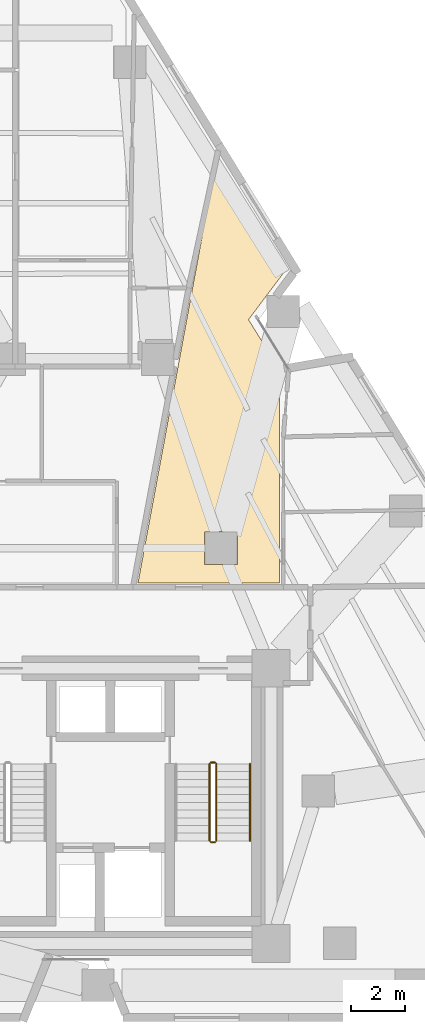
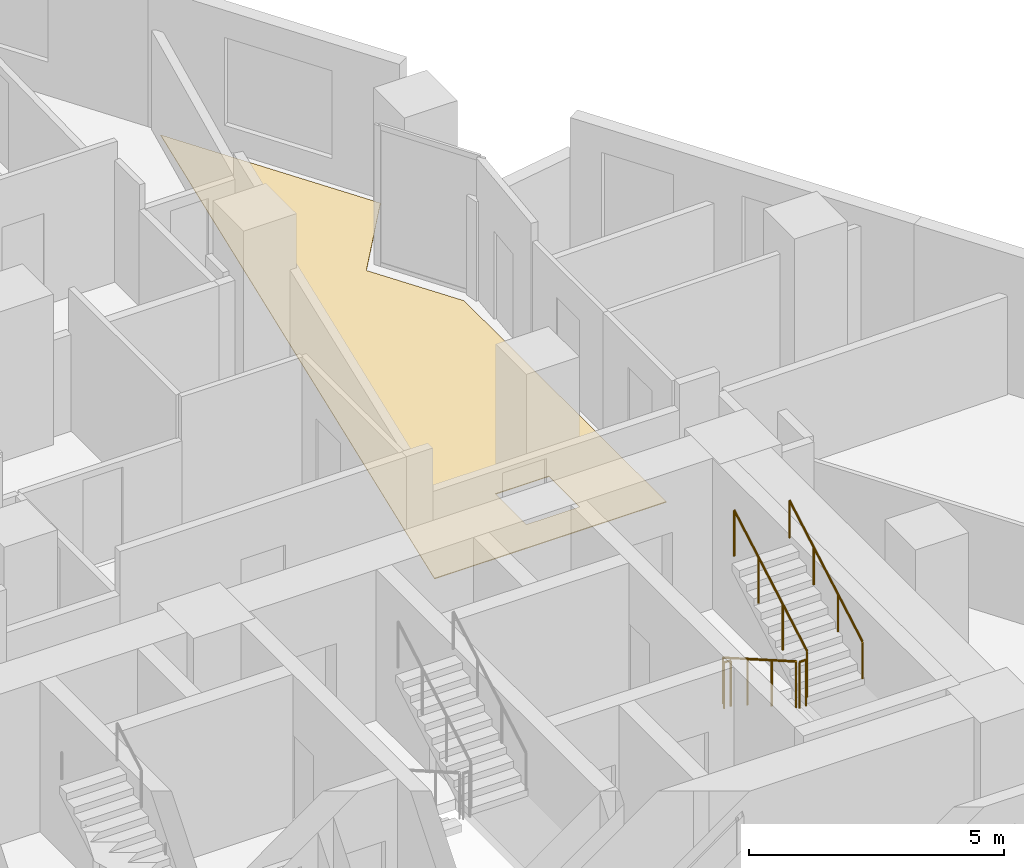
# One storey, part 12 of 13: 5 railings, 1 covering.
"""IFC4 building model written with IfcOpenShell, lengths in metres."""

from ifc_helpers import new_model, si_unit, direction, frame, origin, origin_2d, place, context, subcontext, project, spatial, polyline, circle, outline, extrude, material, layer, layer_set, type_object, element, save


model = new_model("IFC4")

# Units and contexts
model_context = context("Model", 3, precision=1e-05, world=origin(), true_north=direction((0.0, 1.0)))
body_context = subcontext(model_context, "Body", "Model", "MODEL_VIEW")
ifc_project = project(units=[si_unit("LENGTHUNIT", "METRE"), si_unit("AREAUNIT", "SQUARE_METRE"), si_unit("VOLUMEUNIT", "CUBIC_METRE"), si_unit("PLANEANGLEUNIT", "RADIAN"), si_unit("MASSUNIT", "GRAM", prefix="KILO")], contexts=[model_context])

# Site, building, storey
site_placement = place(None, origin())
site = spatial("IfcSite", under=ifc_project, at=site_placement, CompositionType="ELEMENT")
building_placement = place(site_placement, origin())
building = spatial("IfcBuilding", under=site, at=building_placement, Name="Almagre Mirador Tower", CompositionType="ELEMENT")
storey_placement = place(building_placement, frame((0.0, 0.0, 75.0)))
storey = spatial("IfcBuildingStorey", under=building, at=storey_placement, Name="L18", CompositionType="ELEMENT", Elevation=75.0)

# Covering
ifc_material_1 = material(Name="Engineered white oak flooring", Category="wood")
ifc_layer = layer(ifc_material_1, 0.01806640625)
ifc_layer_set = layer_set([ifc_layer], Name="Engineered white oak flooring")
covering_type = type_object("IfcCoveringType", Name="COV-FLR-OAK-18", PredefinedType="FLOORING", material=ifc_layer_set)
covering_placement = place(storey_placement, origin())
element("IfcCovering", 1, at=covering_placement, inside=storey, type_object=covering_type, Name="L18 Unit L18-J Living and Dining Room finish flooring", PredefinedType="FLOORING", context=body_context, shape_type="SweptSolid", body=[
    extrude(outline(polyline([(47.360107421875, 25.81689453125), (47.360107421875, 17.89990234375), (42.1201171875, 17.89990234375), (44.537109375, 30.962890625), (45.0458984375, 33.68994140625), (47.382080078125, 29.89208984375), (47.60888671875, 29.51904296875), (46.218994140625, 27.66796875), (47.360107421875, 25.81689453125)]), holes=[polyline([(44.594970703125, 18.594970703125), (44.594970703125, 19.804931640625), (45.804931640625, 19.804931640625), (45.804931640625, 18.594970703125), (44.594970703125, 18.594970703125)])]), origin(), (0.0, 0.0, 1.0), 0.01806640625),
])

# Railings
ifc_material_2 = material(Name="Painted galvanized steel", Category="steel")
railing_type_1 = type_object("IfcRailingType", Name="RLG-GRD-1100", PredefinedType="GUARDRAIL", material=ifc_material_2)
railing_1_placement = place(storey_placement, frame((44.77490234375, 11.199951171875, 0.16357421875)))
element("IfcRailing", 2, at=railing_1_placement, inside=storey, type_object=railing_type_1, Name="L18 ST-3 stair guard 1", PredefinedType="GUARDRAIL", context=body_context, shape_type="SweptSolid", body=[
    extrude(circle(Radius=0.02392578125, at=origin_2d()), frame((0.0, 0.0, 1.09619140625), z_axis=(0.0, -0.867194282975, 0.497969954491), x_axis=(1.0, 0.0, 0.0)), (0.0, 0.0, 1.0), 3.286376953125),
    extrude(circle(Radius=0.02099609375, at=origin_2d()), origin(), (0.0, 0.0, 1.0), 1.072021484375),
    extrude(circle(Radius=0.02099609375, at=origin_2d()), frame((0.0, -0.949951171875, 0.54541015625)), (0.0, 0.0, 1.0), 1.072021484375),
    extrude(circle(Radius=0.02099609375, at=origin_2d()), frame((0.0, -1.89990234375, 1.091064453125)), (0.0, 0.0, 1.0), 1.072021484375),
    extrude(circle(Radius=0.02099609375, at=origin_2d()), frame((0.0, -2.849853515625, 1.636474609375)), (0.0, 0.0, 1.0), 1.072021484375),
])
railing_2_placement = place(storey_placement, frame((44.824951171875, 8.300048828125, 1.800048828125)))
element("IfcRailing", 3, at=railing_2_placement, inside=storey, type_object=railing_type_1, Name="L18 ST-3 stair guard 2", PredefinedType="GUARDRAIL", context=body_context, shape_type="SweptSolid", body=[
    extrude(circle(Radius=0.02392578125, at=origin_2d()), frame((0.0, 0.0, 1.09619140625), z_axis=(1.0, 0.0, 0.0), x_axis=(0.0, 1.0, 0.0)), (0.0, 0.0, 1.0), 0.150146484375),
    extrude(circle(Radius=0.02099609375, at=origin_2d()), origin(), (0.0, 0.0, 1.0), 1.072021484375),
    extrude(circle(Radius=0.02099609375, at=origin_2d()), frame((0.150146484375, 0.0, 0.0)), (0.0, 0.0, 1.0), 1.072021484375),
])
railing_3_placement = place(storey_placement, frame((45.02490234375, 8.35009765625, 1.963623046875)))
element("IfcRailing", 4, at=railing_3_placement, inside=storey, type_object=railing_type_1, Name="L18 ST-3 stair guard 3", PredefinedType="GUARDRAIL", context=body_context, shape_type="SweptSolid", body=[
    extrude(circle(Radius=0.02392578125, at=origin_2d()), frame((0.0, 0.0, 1.09619140625), z_axis=(0.0, 0.867194282975, 0.497969954491), x_axis=(-1.0, 0.0, 0.0)), (0.0, 0.0, 1.0), 3.286376953125),
    extrude(circle(Radius=0.02099609375, at=origin_2d()), origin(), (0.0, 0.0, 1.0), 1.072021484375),
    extrude(circle(Radius=0.02099609375, at=origin_2d()), frame((0.0, 0.949951171875, 0.54541015625)), (0.0, 0.0, 1.0), 1.072021484375),
    extrude(circle(Radius=0.02099609375, at=origin_2d()), frame((0.0, 1.89990234375, 1.091064453125)), (0.0, 0.0, 1.0), 1.072021484375),
    extrude(circle(Radius=0.02099609375, at=origin_2d()), frame((0.0, 2.849853515625, 1.636474609375)), (0.0, 0.0, 1.0), 1.072021484375),
])
railing_4_placement = place(storey_placement, frame((44.824951171875, 11.25, 0.0)))
element("IfcRailing", 5, at=railing_4_placement, inside=storey, type_object=railing_type_1, Name="L18 ST-3 stair guard 4", PredefinedType="GUARDRAIL", context=body_context, shape_type="SweptSolid", body=[
    extrude(circle(Radius=0.02392578125, at=origin_2d()), frame((0.0, 0.0, 1.09619140625), z_axis=(1.0, 0.0, 0.0), x_axis=(0.0, 1.0, 0.0)), (0.0, 0.0, 1.0), 0.150146484375),
    extrude(circle(Radius=0.02099609375, at=origin_2d()), origin(), (0.0, 0.0, 1.0), 1.072021484375),
    extrude(circle(Radius=0.02099609375, at=origin_2d()), frame((0.150146484375, 0.0, 0.0)), (0.0, 0.0, 1.0), 1.072021484375),
])
ifc_material_3 = material(Name="Brushed stainless steel", Category="steel")
railing_type_2 = type_object("IfcRailingType", Name="RLG-HND-915", PredefinedType="HANDRAIL", material=ifc_material_3)
railing_5_placement = place(storey_placement, frame((46.27490234375, 8.35009765625, 1.963623046875)))
element("IfcRailing", 6, at=railing_5_placement, inside=storey, type_object=railing_type_2, Name="L18 ST-3 stair handrail 2", PredefinedType="HANDRAIL", context=body_context, shape_type="SweptSolid", body=[
    extrude(circle(Radius=0.02392578125, at=origin_2d()), frame((0.0, 0.0, 0.89111328125), z_axis=(0.0, 0.867194282975, 0.497969954491), x_axis=(-1.0, 0.0, 0.0)), (0.0, 0.0, 1.0), 3.286376953125),
    extrude(circle(Radius=0.02099609375, at=origin_2d()), origin(), (0.0, 0.0, 1.0), 0.866943359375),
    extrude(circle(Radius=0.02099609375, at=origin_2d()), frame((0.0, 0.949951171875, 0.54541015625)), (0.0, 0.0, 1.0), 0.866943359375),
    extrude(circle(Radius=0.02099609375, at=origin_2d()), frame((0.0, 1.89990234375, 1.091064453125)), (0.0, 0.0, 1.0), 0.866943359375),
    extrude(circle(Radius=0.02099609375, at=origin_2d()), frame((0.0, 2.849853515625, 1.636474609375)), (0.0, 0.0, 1.0), 0.866943359375),
])

save(model, "model.ifc")
